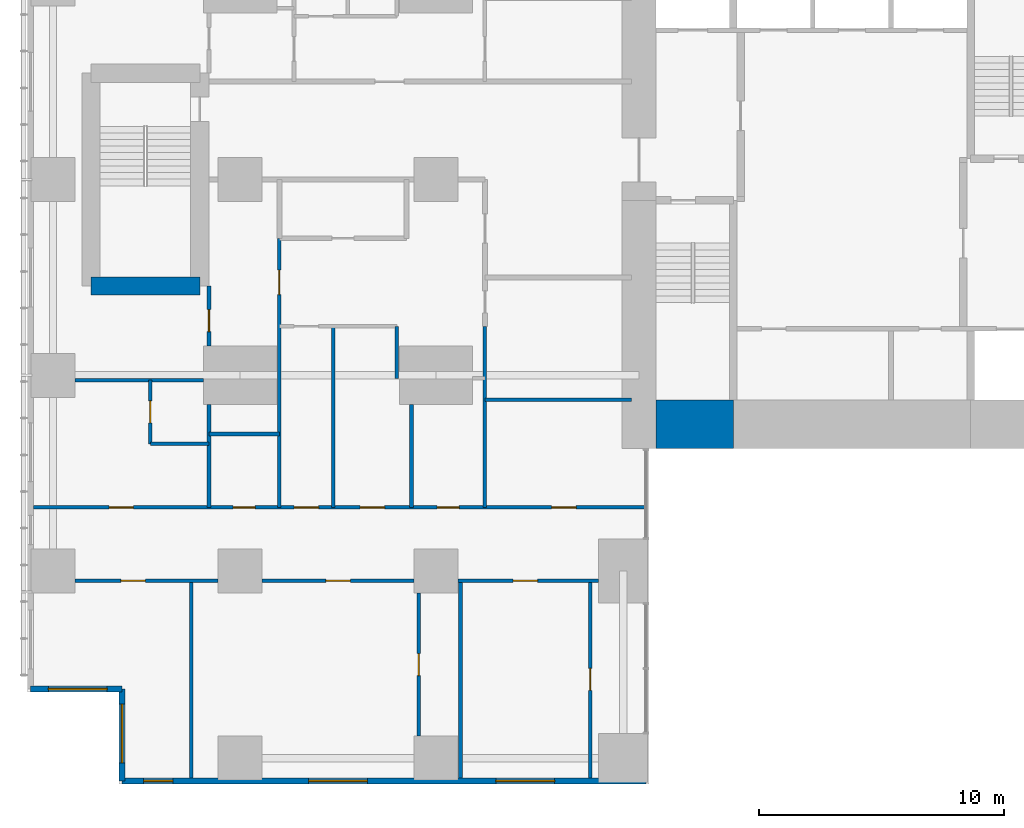
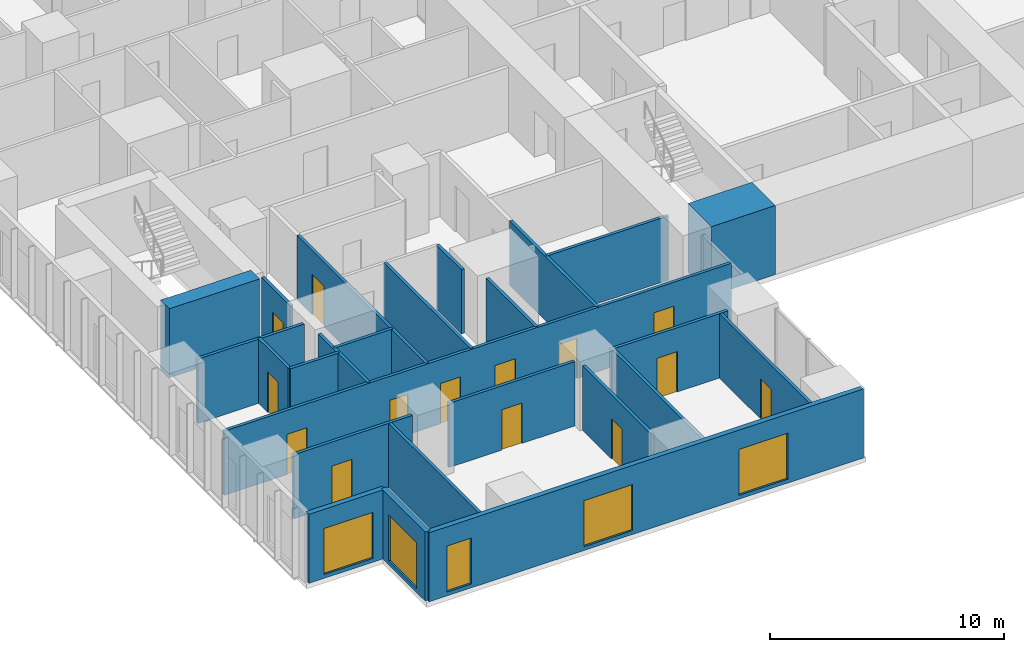
# One storey, part 12 of 20: 25 walls, 14 doors, 5 windows, 19 openings.
"""IFC4 building model written with IfcOpenShell, lengths in metres."""

import ifcopenshell
import ifcopenshell.guid

model = None  # the IFC model being written
_history = None  # IfcOwnerHistory: only IFC2X3 demands one
_inside = {}  # id of a spatial element -> (the spatial element, [elements in it])
_under = {}  # id of a project, library or spatial element -> (it, [spatial elements below it])
_declared = {}  # id of a project -> (the project, [libraries it declares])
_typed = {}  # id of a type object -> (the type object, [elements of that type])
_made_of = {}  # id of a material, layer set ... -> (it, [elements and type objects made of it])


def new_model(schema):
    """Start an empty IFC model of exactly this schema.

    Asked for "IFC4X3", IfcOpenShell would pick the latest addendum, in which some entities
    have other attributes; the version numbers below select the first issue.
    IFC2X3 requires an IfcOwnerHistory on every rooted entity: one is made here for all.
    """
    global model, _history
    if schema == "IFC4X3":
        model = ifcopenshell.file(schema_version=(4, 3, 0, 0))
    else:
        model = ifcopenshell.file(schema=schema)
    _inside.clear()
    _under.clear()
    _declared.clear()
    _typed.clear()
    _made_of.clear()
    _history = None
    if model.schema == "IFC2X3":
        org = make("IfcOrganization", Name="unknown")
        user = make(
            "IfcPersonAndOrganization",
            ThePerson=make("IfcPerson", FamilyName="unknown"),
            TheOrganization=org,
        )
        app = make(
            "IfcApplication",
            ApplicationDeveloper=org,
            Version="unknown",
            ApplicationFullName="unknown",
            ApplicationIdentifier="unknown",
        )
        _history = make(
            "IfcOwnerHistory",
            OwningUser=user,
            OwningApplication=app,
            ChangeAction="ADDED",
            CreationDate=0,
        )
    return model


def make(cls, **values):
    """One entity of the class cls with the attributes given. An attribute that is None is left unset."""
    return model.create_entity(
        cls, **{name: value for name, value in values.items() if value is not None}
    )


def rooted(cls, **values):
    """An entity with a GlobalId (a new one), such as an element, a storey or a relation."""
    return make(cls, GlobalId=ifcopenshell.guid.new(), OwnerHistory=_history, **values)


def si_unit(unit_type, name, prefix=None):
    """IfcSIUnit, for example si_unit("LENGTHUNIT", "METRE", prefix="MILLI")."""
    return make("IfcSIUnit", UnitType=unit_type, Prefix=prefix, Name=name)


def assignment(units):
    """IfcUnitAssignment: the units of a project."""
    return None if units is None else make("IfcUnitAssignment", Units=units)


def point(xyz):
    """IfcCartesianPoint."""
    return None if xyz is None else make("IfcCartesianPoint", Coordinates=xyz)


def direction(xyz):
    """IfcDirection."""
    return None if xyz is None else make("IfcDirection", DirectionRatios=xyz)


def frame(location, z_axis=None, x_axis=None):
    """IfcAxis2Placement3D, a coordinate frame: its origin and axes. An axis left out is left unset."""
    return make(
        "IfcAxis2Placement3D",
        Location=point(location),
        Axis=direction(z_axis),
        RefDirection=direction(x_axis),
    )


def frame_2d(location, x_axis=None):
    """IfcAxis2Placement2D, a coordinate frame in the plane: its origin and x axis."""
    return make(
        "IfcAxis2Placement2D", Location=point(location), RefDirection=direction(x_axis)
    )


def origin():
    """The frame at (0, 0, 0) with its axes left unset."""
    return frame((0.0, 0.0, 0.0))


def place(relative_to, where):
    """IfcLocalPlacement: puts the frame where relative to a parent placement (None: the world)."""
    return make(
        "IfcLocalPlacement", PlacementRelTo=relative_to, RelativePlacement=where
    )


def context(
    kind, dimensions, precision=None, world=None, true_north=None, identifier=None
):
    """IfcGeometricRepresentationContext, for example the 3D "Model" context."""
    return make(
        "IfcGeometricRepresentationContext",
        ContextIdentifier=identifier,
        ContextType=kind,
        CoordinateSpaceDimension=dimensions,
        Precision=precision,
        WorldCoordinateSystem=world,
        TrueNorth=true_north,
    )


def subcontext(parent, identifier, kind, view, scale=None):
    """IfcGeometricRepresentationSubContext, for example "Body" below "Model"."""
    return make(
        "IfcGeometricRepresentationSubContext",
        ContextIdentifier=identifier,
        ContextType=kind,
        ParentContext=parent,
        TargetScale=scale,
        TargetView=view,
    )


def project(units=None, contexts=None):
    """IfcProject with its units and contexts."""
    return rooted(
        "IfcProject",
        Name="project",
        RepresentationContexts=contexts,
        UnitsInContext=assignment(units),
    )


def spatial(cls, under=None, at=None, **own):
    """A site, building, storey or space (cls), placed at a placement, below another one or the project."""
    s = rooted(cls, ObjectPlacement=at, **own)
    if under is not None:
        _under.setdefault(under.id(), (under, []))[1].append(s)
    return s


def profile(cls, at=None, kind="AREA", **sizes):
    """A parametric profile (cls). Its sizes go by their IFC names, for example OverallWidth=200.0."""
    return make(cls, ProfileType=kind, Position=at, **sizes)


def rectangle(**sizes):
    """IfcRectangleProfileDef."""
    return profile("IfcRectangleProfileDef", **sizes)


def extrude(swept, where, along, depth):
    """IfcExtrudedAreaSolid: the profile swept, set in the frame where, extruded along a direction by depth."""
    return make(
        "IfcExtrudedAreaSolid",
        SweptArea=swept,
        Position=where,
        ExtrudedDirection=direction(along),
        Depth=depth,
    )


def shape(context_of_items, identifier, shape_type, items):
    """IfcShapeRepresentation: the items that make up one representation, for example the "Body"."""
    return make(
        "IfcShapeRepresentation",
        ContextOfItems=context_of_items,
        RepresentationIdentifier=identifier,
        RepresentationType=shape_type,
        Items=items,
    )


def material(Name=None, Category=None):
    """IfcMaterial."""
    return make("IfcMaterial", Name=Name, Category=Category)


def layer(
    of_material, thickness, ventilated=None, Name=None, Category=None, Priority=None
):
    """IfcMaterialLayer: one layer of a wall or slab, of a material (None: an air gap)."""
    return make(
        "IfcMaterialLayer",
        Material=of_material,
        LayerThickness=thickness,
        IsVentilated=ventilated,
        Name=Name,
        Category=Category,
        Priority=Priority,
    )


def layer_set(layers, Name=None):
    """IfcMaterialLayerSet."""
    return make("IfcMaterialLayerSet", MaterialLayers=layers, LayerSetName=Name)


def made_of(thing, what):
    """Note that an element or type object is made of a material, layer set ...; save() writes the relation."""
    if what is not None:
        _made_of.setdefault(what.id(), (what, []))[1].append(thing)
    return thing


def type_object(cls, material=None, **own):
    """A type object (cls), such as IfcWallType, which elements share."""
    return made_of(rooted(cls, **own), material)


def element(
    cls,
    number,
    at=None,
    inside=None,
    cuts=None,
    type_object=None,
    material=None,
    context=None,
    identifier="Body",
    shape_type=None,
    held_by="IfcProductDefinitionShape",
    body=None,
    shapes=None,
    **own,
):
    """One element of the class cls, such as IfcWall. Its Tag is "e" and its number.

    at: its placement. inside: the storey or other place that contains it. cuts: it is an
    opening in that element (IfcRelVoidsElement). A single representation is given by context,
    identifier, shape_type and body (its items); several are given by shapes. held_by: the class
    of the entity that holds the representations. save() writes the other relations.
    """
    e = rooted(cls, Tag="e%d" % number, ObjectPlacement=at, **own)
    if body is not None:
        shapes = [shape(context, identifier, shape_type, body)]
    if shapes is not None:
        e.Representation = make(held_by, Representations=shapes)
    if inside is not None:
        _inside.setdefault(inside.id(), (inside, []))[1].append(e)
    if cuts is not None:
        rooted(
            "IfcRelVoidsElement", RelatingBuildingElement=cuts, RelatedOpeningElement=e
        )
    if type_object is not None:
        _typed.setdefault(type_object.id(), (type_object, []))[1].append(e)
    return made_of(e, material)


def fill(opening, filler):
    """IfcRelFillsElement: the door or window that sits in an opening."""
    return rooted(
        "IfcRelFillsElement",
        RelatingOpeningElement=opening,
        RelatedBuildingElement=filler,
    )


def aggregate(whole, parts):
    """IfcRelAggregates: a whole, such as a stair, and the parts it consists of."""
    return rooted("IfcRelAggregates", RelatingObject=whole, RelatedObjects=parts)


def save(model, path):
    """Write the relations noted so far, then the file.

    IfcRelAggregates (storeys below a building ...), IfcRelContainedInSpatialStructure (elements
    in a storey), IfcRelDefinesByType, IfcRelAssociatesMaterial and IfcRelDeclares: one each for
    every whole, place, type object, material and project.
    """
    for whole, parts in _under.values():
        aggregate(whole, parts)
    for where, things in _inside.values():
        rooted(
            "IfcRelContainedInSpatialStructure",
            RelatedElements=things,
            RelatingStructure=where,
        )
    for kind, things in _typed.values():
        rooted("IfcRelDefinesByType", RelatedObjects=things, RelatingType=kind)
    for what, things in _made_of.values():
        rooted("IfcRelAssociatesMaterial", RelatedObjects=things, RelatingMaterial=what)
    for by, libraries in _declared.values():
        rooted("IfcRelDeclares", RelatingContext=by, RelatedDefinitions=libraries)
    model.write(path)


model = new_model("IFC4")

# Units and contexts
model_context = context("Model", 3, precision=1e-05, world=origin(), true_north=direction((0.0, 1.0)))
body_context = subcontext(model_context, "Body", "Model", "MODEL_VIEW")
ifc_project = project(units=[si_unit("LENGTHUNIT", "METRE"), si_unit("AREAUNIT", "SQUARE_METRE"), si_unit("VOLUMEUNIT", "CUBIC_METRE"), si_unit("PLANEANGLEUNIT", "RADIAN"), si_unit("MASSUNIT", "GRAM", prefix="KILO")], contexts=[model_context])

# Site, building, storey
site_placement = place(None, origin())
site = spatial("IfcSite", under=ifc_project, at=site_placement, CompositionType="ELEMENT")
building_placement = place(site_placement, origin())
building = spatial("IfcBuilding", under=site, at=building_placement, Name="Cleftline Residences", CompositionType="ELEMENT")
storey_placement = place(building_placement, frame((0.0, 0.0, 196.60009765625)))
storey = spatial("IfcBuildingStorey", under=building, at=storey_placement, Name="L51", CompositionType="ELEMENT", Elevation=196.60009765625)

# Wall
ifc_material_1 = material(Name="Concrete B70", Category="concrete")
ifc_layer_1 = layer(ifc_material_1, 2.0)
ifc_layer_set_1 = layer_set([ifc_layer_1], Name="CORE WALL 2000")
wall_type_1 = type_object("IfcWallType", Name="CORE WALL 2000", PredefinedType="SHEAR", material=ifc_layer_set_1)
wall_1_placement = place(storey_placement, frame((25.0, 14.0, 0.0), z_axis=(0.0, 0.0, 1.0), x_axis=(1.0, 0.0, 0.0)))
element("IfcWall", 1, at=wall_1_placement, inside=storey, type_object=wall_type_1, Name="Core wall S1", PredefinedType="SHEAR", context=body_context, shape_type="SweptSolid", body=[
    extrude(rectangle(XDim=3.14990234375, YDim=2.0, at=frame_2d((1.574951171875, 0.0))), origin(), (0.0, 0.0, 1.0), 3.599853515625),
])

# Wall, opening, window
ifc_material_2 = material(Name="Rendered reinforced concrete blockwork", Category="masonry")
ifc_layer_2 = layer(ifc_material_2, 0.25)
ifc_layer_set_2 = layer_set([ifc_layer_2], Name="EXTERNAL WALL 250")
wall_type_2 = type_object("IfcWallType", Name="EXTERNAL WALL 250", PredefinedType="SOLIDWALL", material=ifc_layer_set_2)
wall_2_placement = place(storey_placement, frame((-0.574951171875, 3.175048828125, 0.0), z_axis=(0.0, 0.0, 1.0), x_axis=(1.0, 0.0, 0.0)))
wall_2 = element("IfcWall", 2, at=wall_2_placement, inside=storey, type_object=wall_type_2, Name="External wall", PredefinedType="SOLIDWALL", context=body_context, shape_type="SweptSolid", body=[
    extrude(rectangle(XDim=3.75, YDim=0.25, at=frame_2d((1.875, 0.0))), origin(), (0.0, 0.0, 1.0), 3.599853515625),
])
opening_1_placement = place(wall_2_placement, frame((0.737548828125, 0.0, 0.199951171875)))
opening_1 = element("IfcOpeningElement", 3, at=opening_1_placement, cuts=wall_2, Name="Opening W9", PredefinedType="OPENING", context=body_context, shape_type="SweptSolid", body=[
    extrude(rectangle(XDim=2.39990234375, YDim=2.39990234375, at=frame_2d((1.199951171875, 1.199951171875))), frame((0.0, 0.135009765625, 0.0), z_axis=(0.0, -1.0, 0.0), x_axis=(1.0, 0.0, 0.0)), (0.0, 0.0, 1.0), 0.27001953125),
])
ifc_material_3 = material(Name="Aluminium frame, clear double glazing", Category="aluminium")
window_type_1 = type_object("IfcWindowType", Name="WINDOW 2400X2400", PartitioningType="DOUBLE_PANEL_VERTICAL", PredefinedType="WINDOW", material=ifc_material_3)
window_1_placement = place(opening_1_placement, origin())
window_1 = element("IfcWindow", 4, at=window_1_placement, inside=storey, type_object=window_type_1, Name="Window", OverallHeight=2.39990234375, OverallWidth=2.39990234375, PartitioningType="SINGLE_PANEL", PredefinedType="WINDOW", context=body_context, shape_type="SweptSolid", body=[
    extrude(rectangle(XDim=2.39990234375, YDim=2.39990234375, at=frame_2d((1.199951171875, 1.199951171875))), frame((0.0, 0.030029296875, 0.0), z_axis=(0.0, -1.0, 0.0), x_axis=(1.0, 0.0, 0.0)), (0.0, 0.0, 1.0), 0.06005859375),
])
fill(opening_1, window_1)

wall_3_placement = place(storey_placement, frame((3.175048828125, 3.175048828125, 0.0), z_axis=(0.0, 0.0, 1.0), x_axis=(0.0, -1.0, 0.0)))
wall_3 = element("IfcWall", 5, at=wall_3_placement, inside=storey, type_object=wall_type_2, Name="External wall", PredefinedType="SOLIDWALL", context=body_context, shape_type="SweptSolid", body=[
    extrude(rectangle(XDim=3.75, YDim=0.25, at=frame_2d((1.875, 0.0))), origin(), (0.0, 0.0, 1.0), 3.599853515625),
])
opening_2_placement = place(wall_3_placement, frame((0.612548828125, 0.0, 0.199951171875)))
opening_2 = element("IfcOpeningElement", 6, at=opening_2_placement, cuts=wall_3, Name="Opening W9", PredefinedType="OPENING", context=body_context, shape_type="SweptSolid", body=[
    extrude(rectangle(XDim=2.39990234375, YDim=2.39990234375, at=frame_2d((1.199951171875, 1.199951171875))), frame((0.0, 0.135009765625, 0.0), z_axis=(0.0, -1.0, 0.0), x_axis=(1.0, 0.0, 0.0)), (0.0, 0.0, 1.0), 0.27001953125),
])
window_2_placement = place(opening_2_placement, origin())
window_2 = element("IfcWindow", 7, at=window_2_placement, inside=storey, type_object=window_type_1, Name="Window", OverallHeight=2.39990234375, OverallWidth=2.39990234375, PartitioningType="SINGLE_PANEL", PredefinedType="WINDOW", context=body_context, shape_type="SweptSolid", body=[
    extrude(rectangle(XDim=2.39990234375, YDim=2.39990234375, at=frame_2d((1.199951171875, 1.199951171875))), frame((0.0, 0.030029296875, 0.0), z_axis=(0.0, -1.0, 0.0), x_axis=(1.0, 0.0, 0.0)), (0.0, 0.0, 1.0), 0.06005859375),
])
fill(opening_2, window_2)

# Wall, openings, windows
wall_4_placement = place(storey_placement, frame((3.175048828125, -0.574951171875, 0.0), z_axis=(0.0, 0.0, 1.0), x_axis=(1.0, 0.0, 0.0)))
wall_4 = element("IfcWall", 8, at=wall_4_placement, inside=storey, type_object=wall_type_2, Name="External wall", PredefinedType="SOLIDWALL", context=body_context, shape_type="SweptSolid", body=[
    extrude(rectangle(XDim=21.39990234375, YDim=0.25, at=frame_2d((10.699951171875, 0.0))), origin(), (0.0, 0.0, 1.0), 3.599853515625),
])
opening_3_placement = place(wall_4_placement, frame((0.875, 0.0, 0.199951171875)))
opening_3 = element("IfcOpeningElement", 9, at=opening_3_placement, cuts=wall_4, Name="Opening W13", PredefinedType="OPENING", context=body_context, shape_type="SweptSolid", body=[
    extrude(rectangle(XDim=1.199951171875, YDim=2.39990234375, at=frame_2d((0.60009765625, 1.199951171875))), frame((0.0, 0.135009765625, 0.0), z_axis=(0.0, -1.0, 0.0), x_axis=(1.0, 0.0, 0.0)), (0.0, 0.0, 1.0), 0.27001953125),
])
opening_4_placement = place(wall_4_placement, frame((7.625, 0.0, 0.199951171875)))
opening_4 = element("IfcOpeningElement", 10, at=opening_4_placement, cuts=wall_4, Name="Opening W9", PredefinedType="OPENING", context=body_context, shape_type="SweptSolid", body=[
    extrude(rectangle(XDim=2.39990234375, YDim=2.39990234375, at=frame_2d((1.199951171875, 1.199951171875))), frame((0.0, 0.135009765625, 0.0), z_axis=(0.0, -1.0, 0.0), x_axis=(1.0, 0.0, 0.0)), (0.0, 0.0, 1.0), 0.27001953125),
])
opening_5_placement = place(wall_4_placement, frame((15.27490234375, 0.0, 0.199951171875)))
opening_5 = element("IfcOpeningElement", 11, at=opening_5_placement, cuts=wall_4, Name="Opening W9", PredefinedType="OPENING", context=body_context, shape_type="SweptSolid", body=[
    extrude(rectangle(XDim=2.39990234375, YDim=2.39990234375, at=frame_2d((1.199951171875, 1.199951171875))), frame((0.0, 0.135009765625, 0.0), z_axis=(0.0, -1.0, 0.0), x_axis=(1.0, 0.0, 0.0)), (0.0, 0.0, 1.0), 0.27001953125),
])
ifc_material_4 = material(Name="Aluminium frame, clear double glazing", Category="aluminium")
window_type_2 = type_object("IfcWindowType", Name="WINDOW 1200X2400", PartitioningType="DOUBLE_PANEL_VERTICAL", PredefinedType="WINDOW", material=ifc_material_4)
window_3_placement = place(opening_3_placement, origin())
window_3 = element("IfcWindow", 12, at=window_3_placement, inside=storey, type_object=window_type_2, Name="Window", OverallHeight=2.39990234375, OverallWidth=1.199951171875, PartitioningType="SINGLE_PANEL", PredefinedType="WINDOW", context=body_context, shape_type="SweptSolid", body=[
    extrude(rectangle(XDim=1.199951171875, YDim=2.39990234375, at=frame_2d((0.60009765625, 1.199951171875))), frame((0.0, 0.030029296875, 0.0), z_axis=(0.0, -1.0, 0.0), x_axis=(1.0, 0.0, 0.0)), (0.0, 0.0, 1.0), 0.06005859375),
])
fill(opening_3, window_3)
window_4_placement = place(opening_4_placement, origin())
window_4 = element("IfcWindow", 13, at=window_4_placement, inside=storey, type_object=window_type_1, Name="Window", OverallHeight=2.39990234375, OverallWidth=2.39990234375, PartitioningType="SINGLE_PANEL", PredefinedType="WINDOW", context=body_context, shape_type="SweptSolid", body=[
    extrude(rectangle(XDim=2.39990234375, YDim=2.39990234375, at=frame_2d((1.199951171875, 1.199951171875))), frame((0.0, 0.030029296875, 0.0), z_axis=(0.0, -1.0, 0.0), x_axis=(1.0, 0.0, 0.0)), (0.0, 0.0, 1.0), 0.06005859375),
])
fill(opening_4, window_4)
window_5_placement = place(opening_5_placement, origin())
window_5 = element("IfcWindow", 14, at=window_5_placement, inside=storey, type_object=window_type_1, Name="Window", OverallHeight=2.39990234375, OverallWidth=2.39990234375, PartitioningType="SINGLE_PANEL", PredefinedType="WINDOW", context=body_context, shape_type="SweptSolid", body=[
    extrude(rectangle(XDim=2.39990234375, YDim=2.39990234375, at=frame_2d((1.199951171875, 1.199951171875))), frame((0.0, 0.030029296875, 0.0), z_axis=(0.0, -1.0, 0.0), x_axis=(1.0, 0.0, 0.0)), (0.0, 0.0, 1.0), 0.06005859375),
])
fill(opening_5, window_5)

# Wall, opening, door
ifc_material_5 = material(Name="Gypsum board on steel studs", Category="steel")
ifc_layer_3 = layer(ifc_material_5, 0.14990234375)
ifc_layer_set_3 = layer_set([ifc_layer_3], Name="PARTITION 150")
wall_type_3 = type_object("IfcWallType", Name="PARTITION 150", PredefinedType="PARTITIONING", material=ifc_layer_set_3)
wall_5_placement = place(storey_placement, frame((1.25, 7.60009765625, 0.0), z_axis=(0.0, 0.0, 1.0), x_axis=(1.0, 0.0, 0.0)))
wall_5 = element("IfcWall", 15, at=wall_5_placement, inside=storey, type_object=wall_type_3, Name="Partition", PredefinedType="PARTITIONING", context=body_context, shape_type="SweptSolid", body=[
    extrude(rectangle(XDim=5.85009765625, YDim=0.14990234375, at=frame_2d((2.925048828125, 0.0))), origin(), (0.0, 0.0, 1.0), 3.349853515625),
])
opening_6_placement = place(wall_5_placement, frame((1.875, 0.0, 0.0)))
opening_6 = element("IfcOpeningElement", 16, at=opening_6_placement, cuts=wall_5, Name="Opening D2", PredefinedType="OPENING", context=body_context, shape_type="SweptSolid", body=[
    extrude(rectangle(XDim=1.0, YDim=2.10009765625, at=frame_2d((0.5, 1.050048828125))), frame((0.0, 0.0849609375, 0.0), z_axis=(0.0, -1.0, 0.0), x_axis=(1.0, 0.0, 0.0)), (0.0, 0.0, 1.0), 0.169921875),
])
ifc_material_6 = material(Name="Timber veneer on solid core", Category="wood")
door_type_1 = type_object("IfcDoorType", Name="DOOR 1000X2100", OperationType="SINGLE_SWING_LEFT", PredefinedType="DOOR", material=ifc_material_6)
door_1_placement = place(opening_6_placement, origin())
door_1 = element("IfcDoor", 17, at=door_1_placement, inside=storey, type_object=door_type_1, Name="Door to winter garden", OperationType="SINGLE_SWING_RIGHT", OverallHeight=2.10009765625, OverallWidth=1.0, PredefinedType="DOOR", context=body_context, shape_type="SweptSolid", body=[
    extrude(rectangle(XDim=1.0, YDim=2.10009765625, at=frame_2d((0.5, 1.050048828125))), frame((0.0, 0.02490234375, 0.0), z_axis=(0.0, -1.0, 0.0), x_axis=(1.0, 0.0, 0.0)), (0.0, 0.0, 1.0), 0.050048828125),
])
fill(opening_6, door_1)

wall_6_placement = place(storey_placement, frame((8.89990234375, 7.60009765625, 0.0), z_axis=(0.0, 0.0, 1.0), x_axis=(1.0, 0.0, 0.0)))
wall_6 = element("IfcWall", 18, at=wall_6_placement, inside=storey, type_object=wall_type_3, Name="Partition", PredefinedType="PARTITIONING", context=body_context, shape_type="SweptSolid", body=[
    extrude(rectangle(XDim=6.2001953125, YDim=0.14990234375, at=frame_2d((3.10009765625, 0.0))), origin(), (0.0, 0.0, 1.0), 3.349853515625),
])
opening_7_placement = place(wall_6_placement, frame((2.60009765625, 0.0, 0.0)))
opening_7 = element("IfcOpeningElement", 19, at=opening_7_placement, cuts=wall_6, Name="Opening D2", PredefinedType="OPENING", context=body_context, shape_type="SweptSolid", body=[
    extrude(rectangle(XDim=1.0, YDim=2.10009765625, at=frame_2d((0.5, 1.050048828125))), frame((0.0, 0.0849609375, 0.0), z_axis=(0.0, -1.0, 0.0), x_axis=(1.0, 0.0, 0.0)), (0.0, 0.0, 1.0), 0.169921875),
])
door_2_placement = place(opening_7_placement, origin())
door_2 = element("IfcDoor", 20, at=door_2_placement, inside=storey, type_object=door_type_1, Name="Door to great room", OperationType="SINGLE_SWING_LEFT", OverallHeight=2.10009765625, OverallWidth=1.0, PredefinedType="DOOR", context=body_context, shape_type="SweptSolid", body=[
    extrude(rectangle(XDim=1.0, YDim=2.10009765625, at=frame_2d((0.5, 1.050048828125))), frame((0.0, 0.02490234375, 0.0), z_axis=(0.0, -1.0, 0.0), x_axis=(1.0, 0.0, 0.0)), (0.0, 0.0, 1.0), 0.050048828125),
])
fill(opening_7, door_2)

wall_7_placement = place(storey_placement, frame((16.89990234375, 7.60009765625, 0.0), z_axis=(0.0, 0.0, 1.0), x_axis=(1.0, 0.0, 0.0)))
wall_7 = element("IfcWall", 21, at=wall_7_placement, inside=storey, type_object=wall_type_3, Name="Partition", PredefinedType="PARTITIONING", context=body_context, shape_type="SweptSolid", body=[
    extrude(rectangle(XDim=5.75, YDim=0.14990234375, at=frame_2d((2.875, 0.0))), origin(), (0.0, 0.0, 1.0), 3.349853515625),
])
opening_8_placement = place(wall_7_placement, frame((2.25, 0.0, 0.0)))
opening_8 = element("IfcOpeningElement", 22, at=opening_8_placement, cuts=wall_7, Name="Opening D2", PredefinedType="OPENING", context=body_context, shape_type="SweptSolid", body=[
    extrude(rectangle(XDim=1.0, YDim=2.10009765625, at=frame_2d((0.5, 1.050048828125))), frame((0.0, 0.0849609375, 0.0), z_axis=(0.0, -1.0, 0.0), x_axis=(1.0, 0.0, 0.0)), (0.0, 0.0, 1.0), 0.169921875),
])
door_3_placement = place(opening_8_placement, origin())
door_3 = element("IfcDoor", 23, at=door_3_placement, inside=storey, type_object=door_type_1, Name="Door to show kitchen", OperationType="SINGLE_SWING_RIGHT", OverallHeight=2.10009765625, OverallWidth=1.0, PredefinedType="DOOR", context=body_context, shape_type="SweptSolid", body=[
    extrude(rectangle(XDim=1.0, YDim=2.10009765625, at=frame_2d((0.5, 1.050048828125))), frame((0.0, 0.02490234375, 0.0), z_axis=(0.0, -1.0, 0.0), x_axis=(1.0, 0.0, 0.0)), (0.0, 0.0, 1.0), 0.050048828125),
])
fill(opening_8, door_3)

# Wall, openings, doors
wall_8_placement = place(storey_placement, frame((-0.449951171875, 10.60009765625, 0.0), z_axis=(0.0, 0.0, 1.0), x_axis=(1.0, 0.0, 0.0)))
wall_8 = element("IfcWall", 24, at=wall_8_placement, inside=storey, type_object=wall_type_3, Name="Partition", PredefinedType="PARTITIONING", context=body_context, shape_type="SweptSolid", body=[
    extrude(rectangle(XDim=25.010986328125, YDim=0.14990234375, at=frame_2d((12.50537109375, 0.0))), origin(), (0.0, 0.0, 1.0), 3.349853515625),
])
opening_9_placement = place(wall_8_placement, frame((10.64990234375, 0.0, 0.0)))
opening_9 = element("IfcOpeningElement", 25, at=opening_9_placement, cuts=wall_8, Name="Opening D2", PredefinedType="OPENING", context=body_context, shape_type="SweptSolid", body=[
    extrude(rectangle(XDim=1.0, YDim=2.10009765625, at=frame_2d((0.5, 1.050048828125))), frame((0.0, 0.0849609375, 0.0), z_axis=(0.0, -1.0, 0.0), x_axis=(1.0, 0.0, 0.0)), (0.0, 0.0, 1.0), 0.169921875),
])
opening_10_placement = place(wall_8_placement, frame((3.08740234375, 0.0, 0.0)))
opening_10 = element("IfcOpeningElement", 26, at=opening_10_placement, cuts=wall_8, Name="Opening D2", PredefinedType="OPENING", context=body_context, shape_type="SweptSolid", body=[
    extrude(rectangle(XDim=1.0, YDim=2.10009765625, at=frame_2d((0.5, 1.050048828125))), frame((0.0, 0.0849609375, 0.0), z_axis=(0.0, -1.0, 0.0), x_axis=(1.0, 0.0, 0.0)), (0.0, 0.0, 1.0), 0.169921875),
])
opening_11_placement = place(wall_8_placement, frame((8.16259765625, 0.0, 0.0)))
opening_11 = element("IfcOpeningElement", 27, at=opening_11_placement, cuts=wall_8, Name="Opening D1", PredefinedType="OPENING", context=body_context, shape_type="SweptSolid", body=[
    extrude(rectangle(XDim=0.89990234375, YDim=2.10009765625, at=frame_2d((0.449951171875, 1.050048828125))), frame((0.0, 0.0849609375, 0.0), z_axis=(0.0, -1.0, 0.0), x_axis=(1.0, 0.0, 0.0)), (0.0, 0.0, 1.0), 0.169921875),
])
opening_12_placement = place(wall_8_placement, frame((13.35009765625, 0.0, 0.0)))
opening_12 = element("IfcOpeningElement", 28, at=opening_12_placement, cuts=wall_8, Name="Opening D2", PredefinedType="OPENING", context=body_context, shape_type="SweptSolid", body=[
    extrude(rectangle(XDim=1.0, YDim=2.10009765625, at=frame_2d((0.5, 1.050048828125))), frame((0.0, 0.0849609375, 0.0), z_axis=(0.0, -1.0, 0.0), x_axis=(1.0, 0.0, 0.0)), (0.0, 0.0, 1.0), 0.169921875),
])
opening_13_placement = place(wall_8_placement, frame((16.5, 0.0, 0.0)))
opening_13 = element("IfcOpeningElement", 29, at=opening_13_placement, cuts=wall_8, Name="Opening D1", PredefinedType="OPENING", context=body_context, shape_type="SweptSolid", body=[
    extrude(rectangle(XDim=0.89990234375, YDim=2.10009765625, at=frame_2d((0.449951171875, 1.050048828125))), frame((0.0, 0.0849609375, 0.0), z_axis=(0.0, -1.0, 0.0), x_axis=(1.0, 0.0, 0.0)), (0.0, 0.0, 1.0), 0.169921875),
])
opening_14_placement = place(wall_8_placement, frame((21.175048828125, 0.0, 0.0)))
opening_14 = element("IfcOpeningElement", 30, at=opening_14_placement, cuts=wall_8, Name="Opening D2", PredefinedType="OPENING", context=body_context, shape_type="SweptSolid", body=[
    extrude(rectangle(XDim=1.0, YDim=2.10009765625, at=frame_2d((0.5, 1.050048828125))), frame((0.0, 0.0849609375, 0.0), z_axis=(0.0, -1.0, 0.0), x_axis=(1.0, 0.0, 0.0)), (0.0, 0.0, 1.0), 0.169921875),
])
door_4_placement = place(opening_9_placement, origin())
door_4 = element("IfcDoor", 31, at=door_4_placement, inside=storey, type_object=door_type_1, Name="Door to residence hall", OperationType="SINGLE_SWING_RIGHT", OverallHeight=2.10009765625, OverallWidth=1.0, PredefinedType="DOOR", context=body_context, shape_type="SweptSolid", body=[
    extrude(rectangle(XDim=1.0, YDim=2.10009765625, at=frame_2d((0.5, 1.050048828125))), frame((0.0, 0.02490234375, 0.0), z_axis=(0.0, -1.0, 0.0), x_axis=(1.0, 0.0, 0.0)), (0.0, 0.0, 1.0), 0.050048828125),
])
fill(opening_9, door_4)
door_5_placement = place(opening_10_placement, origin())
door_5 = element("IfcDoor", 32, at=door_5_placement, inside=storey, type_object=door_type_1, Name="Door to guest bedroom", OperationType="SINGLE_SWING_RIGHT", OverallHeight=2.10009765625, OverallWidth=1.0, PredefinedType="DOOR", context=body_context, shape_type="SweptSolid", body=[
    extrude(rectangle(XDim=1.0, YDim=2.10009765625, at=frame_2d((0.5, 1.050048828125))), frame((0.0, 0.02490234375, 0.0), z_axis=(0.0, -1.0, 0.0), x_axis=(1.0, 0.0, 0.0)), (0.0, 0.0, 1.0), 0.050048828125),
])
fill(opening_10, door_5)
door_6_placement = place(opening_12_placement, origin())
door_6 = element("IfcDoor", 33, at=door_6_placement, inside=storey, type_object=door_type_1, Name="Door to wet kitchen", OperationType="SINGLE_SWING_LEFT", OverallHeight=2.10009765625, OverallWidth=1.0, PredefinedType="DOOR", context=body_context, shape_type="SweptSolid", body=[
    extrude(rectangle(XDim=1.0, YDim=2.10009765625, at=frame_2d((0.5, 1.050048828125))), frame((0.0, 0.02490234375, 0.0), z_axis=(0.0, -1.0, 0.0), x_axis=(1.0, 0.0, 0.0)), (0.0, 0.0, 1.0), 0.050048828125),
])
fill(opening_12, door_6)
door_7_placement = place(opening_14_placement, origin())
door_7 = element("IfcDoor", 34, at=door_7_placement, inside=storey, type_object=door_type_1, Name="Door to breakfast room", OperationType="SINGLE_SWING_LEFT", OverallHeight=2.10009765625, OverallWidth=1.0, PredefinedType="DOOR", context=body_context, shape_type="SweptSolid", body=[
    extrude(rectangle(XDim=1.0, YDim=2.10009765625, at=frame_2d((0.5, 1.050048828125))), frame((0.0, 0.02490234375, 0.0), z_axis=(0.0, -1.0, 0.0), x_axis=(1.0, 0.0, 0.0)), (0.0, 0.0, 1.0), 0.050048828125),
])
fill(opening_14, door_7)
ifc_material_7 = material(Name="Timber veneer on solid core", Category="wood")
door_type_2 = type_object("IfcDoorType", Name="DOOR 900X2100", OperationType="SINGLE_SWING_LEFT", PredefinedType="DOOR", material=ifc_material_7)
door_8_placement = place(opening_11_placement, origin())
door_8 = element("IfcDoor", 35, at=door_8_placement, inside=storey, type_object=door_type_2, Name="Door to coat store", OperationType="SINGLE_SWING_RIGHT", OverallHeight=2.10009765625, OverallWidth=0.89990234375, PredefinedType="DOOR", context=body_context, shape_type="SweptSolid", body=[
    extrude(rectangle(XDim=0.89990234375, YDim=2.10009765625, at=frame_2d((0.449951171875, 1.050048828125))), frame((0.0, 0.02490234375, 0.0), z_axis=(0.0, -1.0, 0.0), x_axis=(1.0, 0.0, 0.0)), (0.0, 0.0, 1.0), 0.050048828125),
])
fill(opening_11, door_8)
door_9_placement = place(opening_13_placement, origin())
door_9 = element("IfcDoor", 36, at=door_9_placement, inside=storey, type_object=door_type_2, Name="Door to pantry", OperationType="SINGLE_SWING_LEFT", OverallHeight=2.10009765625, OverallWidth=0.89990234375, PredefinedType="DOOR", context=body_context, shape_type="SweptSolid", body=[
    extrude(rectangle(XDim=0.89990234375, YDim=2.10009765625, at=frame_2d((0.449951171875, 1.050048828125))), frame((0.0, 0.02490234375, 0.0), z_axis=(0.0, -1.0, 0.0), x_axis=(1.0, 0.0, 0.0)), (0.0, 0.0, 1.0), 0.050048828125),
])
fill(opening_13, door_9)

# Walls
wall_9_placement = place(storey_placement, frame((4.324951171875, 13.199951171875, 0.0), z_axis=(0.0, 0.0, 1.0), x_axis=(1.0, 0.0, 0.0)))
element("IfcWall", 37, at=wall_9_placement, inside=storey, type_object=wall_type_3, Name="Partition", PredefinedType="PARTITIONING", context=body_context, shape_type="SweptSolid", body=[
    extrude(rectangle(XDim=2.400146484375, YDim=0.14990234375, at=frame_2d((1.2001953125, 0.0))), origin(), (0.0, 0.0, 1.0), 3.349853515625),
])
wall_10_placement = place(storey_placement, frame((6.72509765625, 13.60009765625, 0.0), z_axis=(0.0, 0.0, 1.0), x_axis=(1.0, 0.0, 0.0)))
element("IfcWall", 38, at=wall_10_placement, inside=storey, type_object=wall_type_3, Name="Partition", PredefinedType="PARTITIONING", context=body_context, shape_type="SweptSolid", body=[
    extrude(rectangle(XDim=2.875, YDim=0.14990234375, at=frame_2d((1.4375, 0.0))), origin(), (0.0, 0.0, 1.0), 3.349853515625),
])
wall_11_placement = place(storey_placement, frame((18.0, 15.0, 0.0), z_axis=(0.0, 0.0, 1.0), x_axis=(1.0, 0.0, 0.0)))
element("IfcWall", 39, at=wall_11_placement, inside=storey, type_object=wall_type_3, Name="Partition", PredefinedType="PARTITIONING", context=body_context, shape_type="SweptSolid", body=[
    extrude(rectangle(XDim=6.0, YDim=0.14990234375, at=frame_2d((3.0, 0.0))), origin(), (0.0, 0.0, 1.0), 3.349853515625),
])
wall_12_placement = place(storey_placement, frame((1.25, 15.800048828125, 0.0), z_axis=(0.0, 0.0, 1.0), x_axis=(1.0, 0.0, 0.0)))
element("IfcWall", 40, at=wall_12_placement, inside=storey, type_object=wall_type_3, Name="Partition", PredefinedType="PARTITIONING", context=body_context, shape_type="SweptSolid", body=[
    extrude(rectangle(XDim=5.25, YDim=0.14990234375, at=frame_2d((2.625, 0.0))), origin(), (0.0, 0.0, 1.0), 3.349853515625),
])

# Wall, opening, door
wall_13_placement = place(storey_placement, frame((4.324951171875, 13.199951171875, 0.0), z_axis=(0.0, 0.0, 1.0), x_axis=(0.0, 1.0, 0.0)))
wall_13 = element("IfcWall", 41, at=wall_13_placement, inside=storey, type_object=wall_type_3, Name="Partition", PredefinedType="PARTITIONING", context=body_context, shape_type="SweptSolid", body=[
    extrude(rectangle(XDim=2.60009765625, YDim=0.14990234375, at=frame_2d((1.300048828125, 0.0))), origin(), (0.0, 0.0, 1.0), 3.349853515625),
])
opening_15_placement = place(wall_13_placement, frame((0.85009765625, 0.0, 0.0)))
opening_15 = element("IfcOpeningElement", 42, at=opening_15_placement, cuts=wall_13, Name="Opening D1", PredefinedType="OPENING", context=body_context, shape_type="SweptSolid", body=[
    extrude(rectangle(XDim=0.89990234375, YDim=2.10009765625, at=frame_2d((0.449951171875, 1.050048828125))), frame((0.0, 0.0849609375, 0.0), z_axis=(0.0, -1.0, 0.0), x_axis=(1.0, 0.0, 0.0)), (0.0, 0.0, 1.0), 0.169921875),
])
door_10_placement = place(opening_15_placement, origin())
door_10 = element("IfcDoor", 43, at=door_10_placement, inside=storey, type_object=door_type_2, Name="Door to guest bathroom", OperationType="SINGLE_SWING_LEFT", OverallHeight=2.10009765625, OverallWidth=0.89990234375, PredefinedType="DOOR", context=body_context, shape_type="SweptSolid", body=[
    extrude(rectangle(XDim=0.89990234375, YDim=2.10009765625, at=frame_2d((0.449951171875, 1.050048828125))), frame((0.0, 0.02490234375, 0.0), z_axis=(0.0, -1.0, 0.0), x_axis=(1.0, 0.0, 0.0)), (0.0, 0.0, 1.0), 0.050048828125),
])
fill(opening_15, door_10)

# Walls
wall_14_placement = place(storey_placement, frame((6.0, -0.449951171875, 0.0), z_axis=(0.0, 0.0, 1.0), x_axis=(0.0, 1.0, 0.0)))
element("IfcWall", 44, at=wall_14_placement, inside=storey, type_object=wall_type_3, Name="Partition", PredefinedType="PARTITIONING", context=body_context, shape_type="SweptSolid", body=[
    extrude(rectangle(XDim=8.050048828125, YDim=0.14990234375, at=frame_2d((4.02490234375, 0.0))), origin(), (0.0, 0.0, 1.0), 3.349853515625),
])
wall_15_placement = place(storey_placement, frame((6.72509765625, 10.60009765625, 0.0), z_axis=(0.0, 0.0, 1.0), x_axis=(0.0, 1.0, 0.0)))
element("IfcWall", 45, at=wall_15_placement, inside=storey, type_object=wall_type_3, Name="Partition", PredefinedType="PARTITIONING", context=body_context, shape_type="SweptSolid", body=[
    extrude(rectangle(XDim=4.199951171875, YDim=0.14990234375, at=frame_2d((2.10009765625, 0.0))), origin(), (0.0, 0.0, 1.0), 3.349853515625),
])

# Wall, opening, door
wall_16_placement = place(storey_placement, frame((6.72509765625, 17.199951171875, 0.0), z_axis=(0.0, 0.0, 1.0), x_axis=(0.0, 1.0, 0.0)))
wall_16 = element("IfcWall", 46, at=wall_16_placement, inside=storey, type_object=wall_type_3, Name="Partition", PredefinedType="PARTITIONING", context=body_context, shape_type="SweptSolid", body=[
    extrude(rectangle(XDim=2.449951171875, YDim=0.14990234375, at=frame_2d((1.22509765625, 0.0))), origin(), (0.0, 0.0, 1.0), 3.349853515625),
])
opening_16_placement = place(wall_16_placement, frame((0.58740234375, 0.0, 0.0)))
opening_16 = element("IfcOpeningElement", 47, at=opening_16_placement, cuts=wall_16, Name="Opening D1", PredefinedType="OPENING", context=body_context, shape_type="SweptSolid", body=[
    extrude(rectangle(XDim=0.89990234375, YDim=2.10009765625, at=frame_2d((0.449951171875, 1.050048828125))), frame((0.0, 0.0849609375, 0.0), z_axis=(0.0, -1.0, 0.0), x_axis=(1.0, 0.0, 0.0)), (0.0, 0.0, 1.0), 0.169921875),
])
door_11_placement = place(opening_16_placement, origin())
door_11 = element("IfcDoor", 48, at=door_11_placement, inside=storey, type_object=door_type_2, Name="Door to drying loggia", OperationType="SINGLE_SWING_RIGHT", OverallHeight=2.10009765625, OverallWidth=0.89990234375, PredefinedType="DOOR", context=body_context, shape_type="SweptSolid", body=[
    extrude(rectangle(XDim=0.89990234375, YDim=2.10009765625, at=frame_2d((0.449951171875, 1.050048828125))), frame((0.0, 0.02490234375, 0.0), z_axis=(0.0, -1.0, 0.0), x_axis=(1.0, 0.0, 0.0)), (0.0, 0.0, 1.0), 0.050048828125),
])
fill(opening_16, door_11)

wall_17_placement = place(storey_placement, frame((9.60009765625, 10.60009765625, 0.0), z_axis=(0.0, 0.0, 1.0), x_axis=(0.0, 1.0, 0.0)))
wall_17 = element("IfcWall", 49, at=wall_17_placement, inside=storey, type_object=wall_type_3, Name="Partition", PredefinedType="PARTITIONING", context=body_context, shape_type="SweptSolid", body=[
    extrude(rectangle(XDim=11.0, YDim=0.14990234375, at=frame_2d((5.5, 0.0))), origin(), (0.0, 0.0, 1.0), 3.349853515625),
])
opening_17_placement = place(wall_17_placement, frame((8.699951171875, 0.0, 0.0)))
opening_17 = element("IfcOpeningElement", 50, at=opening_17_placement, cuts=wall_17, Name="Opening D2F30", PredefinedType="OPENING", context=body_context, shape_type="SweptSolid", body=[
    extrude(rectangle(XDim=1.0, YDim=2.10009765625, at=frame_2d((0.5, 1.050048828125))), frame((0.0, 0.0849609375, 0.0), z_axis=(0.0, -1.0, 0.0), x_axis=(1.0, 0.0, 0.0)), (0.0, 0.0, 1.0), 0.169921875),
])
ifc_material_8 = material(Name="Timber veneer on solid core", Category="wood")
door_type_3 = type_object("IfcDoorType", Name="DOOR 1000X2100 EI 30", OperationType="SINGLE_SWING_LEFT", PredefinedType="DOOR", material=ifc_material_8)
door_12_placement = place(opening_17_placement, origin())
door_12 = element("IfcDoor", 51, at=door_12_placement, inside=storey, type_object=door_type_3, Name="Door to residence lobby", OperationType="SINGLE_SWING_LEFT", OverallHeight=2.10009765625, OverallWidth=1.0, PredefinedType="DOOR", context=body_context, shape_type="SweptSolid", body=[
    extrude(rectangle(XDim=1.0, YDim=2.10009765625, at=frame_2d((0.5, 1.050048828125))), frame((0.0, 0.02490234375, 0.0), z_axis=(0.0, -1.0, 0.0), x_axis=(1.0, 0.0, 0.0)), (0.0, 0.0, 1.0), 0.050048828125),
])
fill(opening_17, door_12)

# Walls
wall_18_placement = place(storey_placement, frame((11.800048828125, 10.60009765625, 0.0), z_axis=(0.0, 0.0, 1.0), x_axis=(0.0, 1.0, 0.0)))
element("IfcWall", 52, at=wall_18_placement, inside=storey, type_object=wall_type_3, Name="Partition", PredefinedType="PARTITIONING", context=body_context, shape_type="SweptSolid", body=[
    extrude(rectangle(XDim=7.39990234375, YDim=0.14990234375, at=frame_2d((3.699951171875, 0.0))), origin(), (0.0, 0.0, 1.0), 3.349853515625),
])
wall_19_placement = place(storey_placement, frame((14.39990234375, 15.875, 0.0), z_axis=(0.0, 0.0, 1.0), x_axis=(0.0, 1.0, 0.0)))
element("IfcWall", 53, at=wall_19_placement, inside=storey, type_object=wall_type_3, Name="Partition", PredefinedType="PARTITIONING", context=body_context, shape_type="SweptSolid", body=[
    extrude(rectangle(XDim=2.125, YDim=0.14990234375, at=frame_2d((1.0625, 0.0))), origin(), (0.0, 0.0, 1.0), 3.349853515625),
])
wall_20_placement = place(storey_placement, frame((15.0, 10.60009765625, 0.0), z_axis=(0.0, 0.0, 1.0), x_axis=(0.0, 1.0, 0.0)))
element("IfcWall", 54, at=wall_20_placement, inside=storey, type_object=wall_type_3, Name="Partition", PredefinedType="PARTITIONING", context=body_context, shape_type="SweptSolid", body=[
    extrude(rectangle(XDim=4.199951171875, YDim=0.14990234375, at=frame_2d((2.10009765625, 0.0))), origin(), (0.0, 0.0, 1.0), 3.349853515625),
])

# Wall, opening, door
wall_21_placement = place(storey_placement, frame((15.300048828125, 1.25, 0.0), z_axis=(0.0, 0.0, 1.0), x_axis=(0.0, 1.0, 0.0)))
wall_21 = element("IfcWall", 55, at=wall_21_placement, inside=storey, type_object=wall_type_3, Name="Partition", PredefinedType="PARTITIONING", context=body_context, shape_type="SweptSolid", body=[
    extrude(rectangle(XDim=5.85009765625, YDim=0.14990234375, at=frame_2d((2.925048828125, 0.0))), origin(), (0.0, 0.0, 1.0), 3.349853515625),
])
opening_18_placement = place(wall_21_placement, frame((2.47509765625, 0.0, 0.0)))
opening_18 = element("IfcOpeningElement", 56, at=opening_18_placement, cuts=wall_21, Name="Opening D1", PredefinedType="OPENING", context=body_context, shape_type="SweptSolid", body=[
    extrude(rectangle(XDim=0.89990234375, YDim=2.10009765625, at=frame_2d((0.449951171875, 1.050048828125))), frame((0.0, 0.0849609375, 0.0), z_axis=(0.0, -1.0, 0.0), x_axis=(1.0, 0.0, 0.0)), (0.0, 0.0, 1.0), 0.169921875),
])
door_13_placement = place(opening_18_placement, origin())
door_13 = element("IfcDoor", 57, at=door_13_placement, inside=storey, type_object=door_type_2, Name="Door to store room", OperationType="SINGLE_SWING_LEFT", OverallHeight=2.10009765625, OverallWidth=0.89990234375, PredefinedType="DOOR", context=body_context, shape_type="SweptSolid", body=[
    extrude(rectangle(XDim=0.89990234375, YDim=2.10009765625, at=frame_2d((0.449951171875, 1.050048828125))), frame((0.0, 0.02490234375, 0.0), z_axis=(0.0, -1.0, 0.0), x_axis=(1.0, 0.0, 0.0)), (0.0, 0.0, 1.0), 0.050048828125),
])
fill(opening_18, door_13)

# Walls
wall_22_placement = place(storey_placement, frame((17.0, -0.449951171875, 0.0), z_axis=(0.0, 0.0, 1.0), x_axis=(0.0, 1.0, 0.0)))
element("IfcWall", 58, at=wall_22_placement, inside=storey, type_object=wall_type_3, Name="Partition", PredefinedType="PARTITIONING", context=body_context, shape_type="SweptSolid", body=[
    extrude(rectangle(XDim=8.050048828125, YDim=0.14990234375, at=frame_2d((4.02490234375, 0.0))), origin(), (0.0, 0.0, 1.0), 3.349853515625),
])
wall_23_placement = place(storey_placement, frame((18.0, 10.60009765625, 0.0), z_axis=(0.0, 0.0, 1.0), x_axis=(0.0, 1.0, 0.0)))
element("IfcWall", 59, at=wall_23_placement, inside=storey, type_object=wall_type_3, Name="Partition", PredefinedType="PARTITIONING", context=body_context, shape_type="SweptSolid", body=[
    extrude(rectangle(XDim=7.39990234375, YDim=0.14990234375, at=frame_2d((3.699951171875, 0.0))), origin(), (0.0, 0.0, 1.0), 3.349853515625),
])

# Wall, opening, door
wall_24_placement = place(storey_placement, frame((22.300048828125, -0.449951171875, 0.0), z_axis=(0.0, 0.0, 1.0), x_axis=(0.0, 1.0, 0.0)))
wall_24 = element("IfcWall", 60, at=wall_24_placement, inside=storey, type_object=wall_type_3, Name="Partition", PredefinedType="PARTITIONING", context=body_context, shape_type="SweptSolid", body=[
    extrude(rectangle(XDim=8.050048828125, YDim=0.14990234375, at=frame_2d((4.02490234375, 0.0))), origin(), (0.0, 0.0, 1.0), 3.349853515625),
])
opening_19_placement = place(wall_24_placement, frame((3.574951171875, 0.0, 0.0)))
opening_19 = element("IfcOpeningElement", 61, at=opening_19_placement, cuts=wall_24, Name="Opening D1", PredefinedType="OPENING", context=body_context, shape_type="SweptSolid", body=[
    extrude(rectangle(XDim=0.89990234375, YDim=2.10009765625, at=frame_2d((0.449951171875, 1.050048828125))), frame((0.0, 0.0849609375, 0.0), z_axis=(0.0, -1.0, 0.0), x_axis=(1.0, 0.0, 0.0)), (0.0, 0.0, 1.0), 0.169921875),
])
door_14_placement = place(opening_19_placement, origin())
door_14 = element("IfcDoor", 62, at=door_14_placement, inside=storey, type_object=door_type_2, Name="Door to larder", OperationType="SINGLE_SWING_LEFT", OverallHeight=2.10009765625, OverallWidth=0.89990234375, PredefinedType="DOOR", context=body_context, shape_type="SweptSolid", body=[
    extrude(rectangle(XDim=0.89990234375, YDim=2.10009765625, at=frame_2d((0.449951171875, 1.050048828125))), frame((0.0, 0.02490234375, 0.0), z_axis=(0.0, -1.0, 0.0), x_axis=(1.0, 0.0, 0.0)), (0.0, 0.0, 1.0), 0.050048828125),
])
fill(opening_19, door_14)

# Wall
ifc_material_9 = material(Name="Concrete B70", Category="concrete")
ifc_layer_4 = layer(ifc_material_9, 0.75)
ifc_layer_set_4 = layer_set([ifc_layer_4], Name="SHEAR WALL 750")
wall_type_4 = type_object("IfcWallType", Name="SHEAR WALL 750", PredefinedType="SHEAR", material=ifc_layer_set_4)
wall_25_placement = place(storey_placement, frame((1.89990234375, 19.64990234375, 0.0), z_axis=(0.0, 0.0, 1.0), x_axis=(1.0, 0.0, 0.0)))
element("IfcWall", 63, at=wall_25_placement, inside=storey, type_object=wall_type_4, Name="Wing shear wall", PredefinedType="SHEAR", context=body_context, shape_type="SweptSolid", body=[
    extrude(rectangle(XDim=4.4501953125, YDim=0.75, at=frame_2d((2.22509765625, 0.0))), origin(), (0.0, 0.0, 1.0), 3.599853515625),
])

save(model, "model.ifc")
